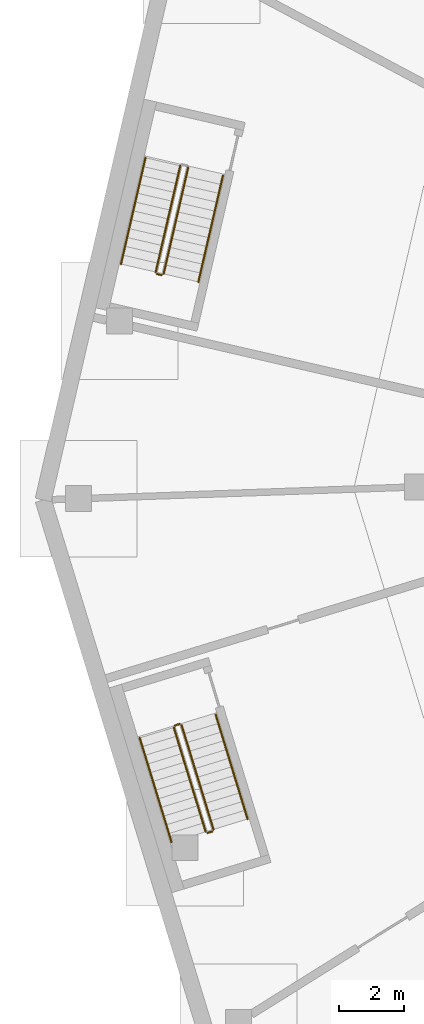
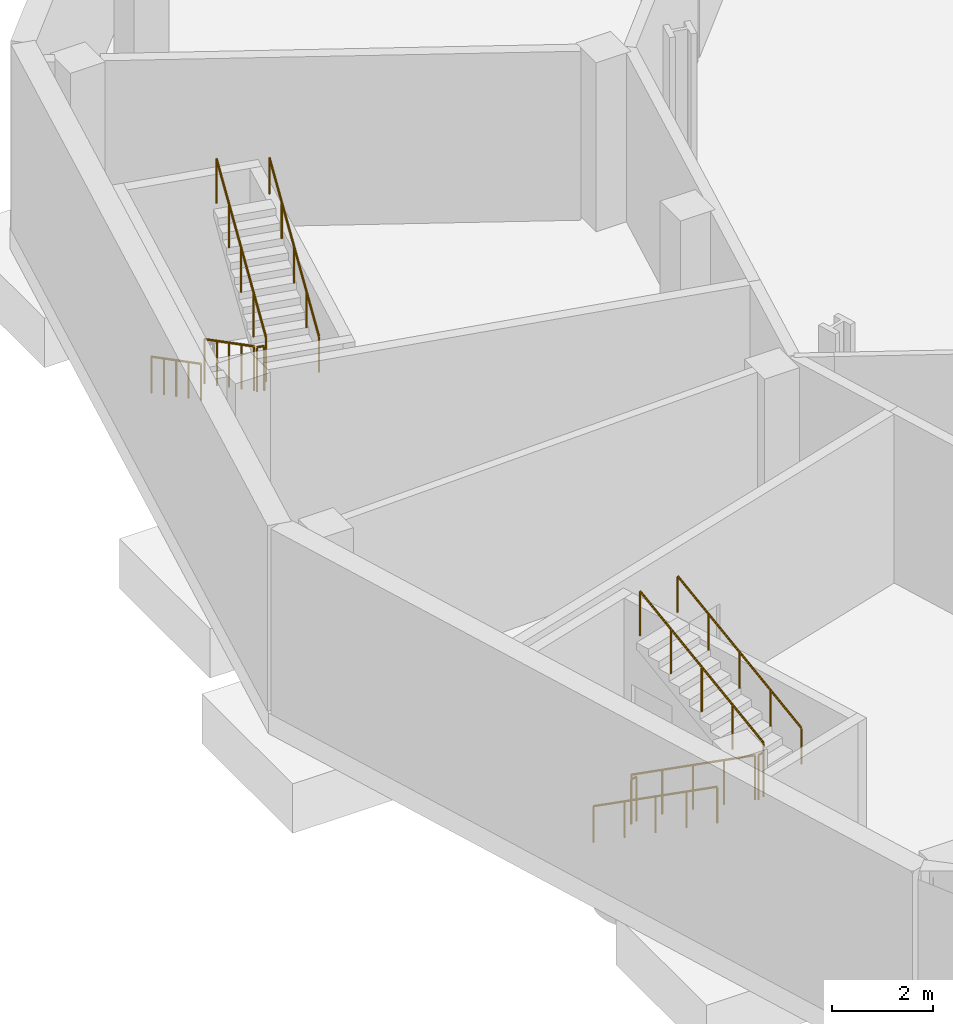
# One storey, part 22 of 29: 11 railings.
"""IFC4 building model written with IfcOpenShell, lengths in metres."""

from ifc_helpers import new_model, si_unit, direction, frame, origin, place, context, subcontext, project, spatial, polyline, outline, extrude, material, type_object, element, save


model = new_model("IFC4")

# Units and contexts
model_context = context("Model", 3, precision=1e-05, world=origin(), true_north=direction((0.0, 1.0)))
body_context = subcontext(model_context, "Body", "Model", "MODEL_VIEW")
ifc_project = project(units=[si_unit("LENGTHUNIT", "METRE"), si_unit("AREAUNIT", "SQUARE_METRE"), si_unit("VOLUMEUNIT", "CUBIC_METRE"), si_unit("PLANEANGLEUNIT", "RADIAN"), si_unit("MASSUNIT", "GRAM", prefix="KILO")], contexts=[model_context])

# Site, building, storey
site_placement = place(None, origin())
site = spatial("IfcSite", under=ifc_project, at=site_placement, CompositionType="ELEMENT")
building_placement = place(site_placement, origin())
building = spatial("IfcBuilding", under=site, at=building_placement, Name="Cormorant Relay Tower", CompositionType="ELEMENT")
storey_placement = place(building_placement, frame((0.0, 0.0, -9.0)))
storey = spatial("IfcBuildingStorey", under=building, at=storey_placement, Name="B2", CompositionType="ELEMENT", Elevation=-9.0)

# Railings
ifc_material_1 = material(Name="Steel ASTM A572 Grade 50 (Fy 345 MPa)", Category="steel")
railing_type_1 = type_object("IfcRailingType", Name="Podium stair guard 1100", PredefinedType="GUARDRAIL", material=ifc_material_1)
railing_1_placement = place(storey_placement, frame((-69.16943359375, 30.248291015625, 0.173095703125)))
element("IfcRailing", 1, at=railing_1_placement, inside=storey, type_object=railing_type_1, Name="B2 X3 stair guard 1", PredefinedType="GUARDRAIL", context=body_context, shape_type="SweptSolid", body=[
    extrude(outline(polyline([(0.022216796875, 0.00927734375), (0.00927734375, 0.022216796875), (-0.00927734375, 0.022216796875), (-0.022216796875, 0.00927734375), (-0.022216796875, -0.00927734375), (-0.00927734375, -0.022216796875), (0.00927734375, -0.022216796875), (0.022216796875, -0.00927734375), (0.022216796875, 0.00927734375)])), frame((0.0, 0.0, 1.076171875), z_axis=(-0.191351009857, -0.82881687409, 0.525782635935), x_axis=(0.974369148124, -0.224955024802, 0.0)), (0.0, 0.0, 1.0), 3.9501953125),
    extrude(outline(polyline([(0.019287109375, 0.008056640625), (0.008056640625, 0.019287109375), (-0.008056640625, 0.019287109375), (-0.019287109375, 0.008056640625), (-0.019287109375, -0.008056640625), (-0.008056640625, -0.019287109375), (0.008056640625, -0.019287109375), (0.019287109375, -0.008056640625), (0.019287109375, 0.008056640625)])), origin(), (0.0, 0.0, 1.0), 1.052001953125),
    extrude(outline(polyline([(0.019287109375, 0.008056640625), (0.008056640625, 0.019287109375), (-0.008056640625, 0.019287109375), (-0.019287109375, 0.008056640625), (-0.019287109375, -0.008056640625), (-0.008056640625, -0.019287109375), (0.008056640625, -0.019287109375), (0.019287109375, -0.008056640625), (0.019287109375, 0.008056640625)])), frame((-0.18896484375, -0.818359375, 0.519287109375)), (0.0, 0.0, 1.0), 1.052001953125),
    extrude(outline(polyline([(0.019287109375, 0.008056640625), (0.008056640625, 0.019287109375), (-0.008056640625, 0.019287109375), (-0.019287109375, 0.008056640625), (-0.019287109375, -0.008056640625), (-0.008056640625, -0.019287109375), (0.008056640625, -0.019287109375), (0.019287109375, -0.008056640625), (0.019287109375, 0.008056640625)])), frame((-0.3779296875, -1.636962890625, 1.03857421875)), (0.0, 0.0, 1.0), 1.052001953125),
    extrude(outline(polyline([(0.019287109375, 0.008056640625), (0.008056640625, 0.019287109375), (-0.008056640625, 0.019287109375), (-0.019287109375, 0.008056640625), (-0.019287109375, -0.008056640625), (-0.008056640625, -0.019287109375), (0.008056640625, -0.019287109375), (0.019287109375, -0.008056640625), (0.019287109375, 0.008056640625)])), frame((-0.56689453125, -2.45556640625, 1.5576171875)), (0.0, 0.0, 1.0), 1.052001953125),
    extrude(outline(polyline([(0.019287109375, 0.008056640625), (0.008056640625, 0.019287109375), (-0.008056640625, 0.019287109375), (-0.019287109375, 0.008056640625), (-0.019287109375, -0.008056640625), (-0.008056640625, -0.019287109375), (0.008056640625, -0.019287109375), (0.019287109375, -0.008056640625), (0.019287109375, 0.008056640625)])), frame((-0.755859375, -3.27392578125, 2.076904296875)), (0.0, 0.0, 1.0), 1.052001953125),
])
railing_2_placement = place(storey_placement, frame((-69.887939453125, 26.914306640625, 2.25)))
element("IfcRailing", 2, at=railing_2_placement, inside=storey, type_object=railing_type_1, Name="B2 X3 stair guard 2", PredefinedType="GUARDRAIL", context=body_context, shape_type="SweptSolid", body=[
    extrude(outline(polyline([(0.022216796875, 0.00927734375), (0.00927734375, 0.022216796875), (-0.00927734375, 0.022216796875), (-0.022216796875, 0.00927734375), (-0.022216796875, -0.00927734375), (-0.00927734375, -0.022216796875), (0.00927734375, -0.022216796875), (0.022216796875, -0.00927734375), (0.022216796875, 0.00927734375)])), frame((0.0, 0.0, 1.076171875), z_axis=(0.974473386136, -0.224503050562, 0.0), x_axis=(0.224503050562, 0.974473386136, 0.0)), (0.0, 0.0, 1.0), 0.150146484375),
    extrude(outline(polyline([(0.019287109375, 0.008056640625), (0.008056640625, 0.019287109375), (-0.008056640625, 0.019287109375), (-0.019287109375, 0.008056640625), (-0.019287109375, -0.008056640625), (-0.008056640625, -0.019287109375), (0.008056640625, -0.019287109375), (0.019287109375, -0.008056640625), (0.019287109375, 0.008056640625)])), origin(), (0.0, 0.0, 1.0), 1.052001953125),
    extrude(outline(polyline([(0.019287109375, 0.008056640625), (0.008056640625, 0.019287109375), (-0.008056640625, 0.019287109375), (-0.019287109375, 0.008056640625), (-0.019287109375, -0.008056640625), (-0.008056640625, -0.019287109375), (0.008056640625, -0.019287109375), (0.019287109375, -0.008056640625), (0.019287109375, 0.008056640625)])), frame((0.146240234375, -0.03369140625, 0.0)), (0.0, 0.0, 1.0), 1.052001953125),
])
railing_3_placement = place(storey_placement, frame((-69.681884765625, 26.918212890625, 2.423095703125)))
element("IfcRailing", 3, at=railing_3_placement, inside=storey, type_object=railing_type_1, Name="B2 X3 stair guard 3", PredefinedType="GUARDRAIL", context=body_context, shape_type="SweptSolid", body=[
    extrude(outline(polyline([(0.022216796875, 0.00927734375), (0.00927734375, 0.022216796875), (-0.00927734375, 0.022216796875), (-0.022216796875, 0.00927734375), (-0.022216796875, -0.00927734375), (-0.00927734375, -0.022216796875), (0.00927734375, -0.022216796875), (0.022216796875, -0.00927734375), (0.022216796875, 0.00927734375)])), frame((0.0, 0.0, 1.076171875), z_axis=(0.191351009857, 0.82881687409, 0.525782635935), x_axis=(-0.974369148124, 0.224955024802, 0.0)), (0.0, 0.0, 1.0), 3.9501953125),
    extrude(outline(polyline([(0.019287109375, 0.008056640625), (0.008056640625, 0.019287109375), (-0.008056640625, 0.019287109375), (-0.019287109375, 0.008056640625), (-0.019287109375, -0.008056640625), (-0.008056640625, -0.019287109375), (0.008056640625, -0.019287109375), (0.019287109375, -0.008056640625), (0.019287109375, 0.008056640625)])), origin(), (0.0, 0.0, 1.0), 1.052001953125),
    extrude(outline(polyline([(0.019287109375, 0.008056640625), (0.008056640625, 0.019287109375), (-0.008056640625, 0.019287109375), (-0.019287109375, 0.008056640625), (-0.019287109375, -0.008056640625), (-0.008056640625, -0.019287109375), (0.008056640625, -0.019287109375), (0.019287109375, -0.008056640625), (0.019287109375, 0.008056640625)])), frame((0.18896484375, 0.818359375, 0.519287109375)), (0.0, 0.0, 1.0), 1.052001953125),
    extrude(outline(polyline([(0.019287109375, 0.008056640625), (0.008056640625, 0.019287109375), (-0.008056640625, 0.019287109375), (-0.019287109375, 0.008056640625), (-0.019287109375, -0.008056640625), (-0.008056640625, -0.019287109375), (0.008056640625, -0.019287109375), (0.019287109375, -0.008056640625), (0.019287109375, 0.008056640625)])), frame((0.3779296875, 1.636962890625, 1.03857421875)), (0.0, 0.0, 1.0), 1.052001953125),
    extrude(outline(polyline([(0.019287109375, 0.008056640625), (0.008056640625, 0.019287109375), (-0.008056640625, 0.019287109375), (-0.019287109375, 0.008056640625), (-0.019287109375, -0.008056640625), (-0.008056640625, -0.019287109375), (0.008056640625, -0.019287109375), (0.019287109375, -0.008056640625), (0.019287109375, 0.008056640625)])), frame((0.56689453125, 2.45556640625, 1.5576171875)), (0.0, 0.0, 1.0), 1.052001953125),
    extrude(outline(polyline([(0.019287109375, 0.008056640625), (0.008056640625, 0.019287109375), (-0.008056640625, 0.019287109375), (-0.019287109375, 0.008056640625), (-0.019287109375, -0.008056640625), (-0.008056640625, -0.019287109375), (0.008056640625, -0.019287109375), (0.019287109375, -0.008056640625), (0.019287109375, 0.008056640625)])), frame((0.755859375, 3.27392578125, 2.076904296875)), (0.0, 0.0, 1.0), 1.052001953125),
])
railing_4_placement = place(storey_placement, frame((-69.367919921875, 12.9375, 0.173095703125)))
element("IfcRailing", 4, at=railing_4_placement, inside=storey, type_object=railing_type_1, Name="B2 X4 stair guard 1", PredefinedType="GUARDRAIL", context=body_context, shape_type="SweptSolid", body=[
    extrude(outline(polyline([(0.022216796875, 0.00927734375), (0.00927734375, 0.022216796875), (-0.00927734375, 0.022216796875), (-0.022216796875, 0.00927734375), (-0.022216796875, -0.00927734375), (-0.00927734375, -0.022216796875), (0.00927734375, -0.022216796875), (0.022216796875, -0.00927734375), (0.022216796875, 0.00927734375)])), frame((0.0, 0.0, 1.076171875), z_axis=(0.24869855367, -0.813461819933, 0.525765058666), x_axis=(0.956305309112, 0.292369895447, 0.0)), (0.0, 0.0, 1.0), 3.9501953125),
    extrude(outline(polyline([(0.019287109375, 0.008056640625), (0.008056640625, 0.019287109375), (-0.008056640625, 0.019287109375), (-0.019287109375, 0.008056640625), (-0.019287109375, -0.008056640625), (-0.008056640625, -0.019287109375), (0.008056640625, -0.019287109375), (0.019287109375, -0.008056640625), (0.019287109375, 0.008056640625)])), origin(), (0.0, 0.0, 1.0), 1.052001953125),
    extrude(outline(polyline([(0.019287109375, 0.008056640625), (0.008056640625, 0.019287109375), (-0.008056640625, 0.019287109375), (-0.019287109375, 0.008056640625), (-0.019287109375, -0.008056640625), (-0.008056640625, -0.019287109375), (0.008056640625, -0.019287109375), (0.019287109375, -0.008056640625), (0.019287109375, 0.008056640625)])), frame((0.24560546875, -0.80322265625, 0.519287109375)), (0.0, 0.0, 1.0), 1.052001953125),
    extrude(outline(polyline([(0.019287109375, 0.008056640625), (0.008056640625, 0.019287109375), (-0.008056640625, 0.019287109375), (-0.019287109375, 0.008056640625), (-0.019287109375, -0.008056640625), (-0.008056640625, -0.019287109375), (0.008056640625, -0.019287109375), (0.019287109375, -0.008056640625), (0.019287109375, 0.008056640625)])), frame((0.4912109375, -1.606689453125, 1.03857421875)), (0.0, 0.0, 1.0), 1.052001953125),
    extrude(outline(polyline([(0.019287109375, 0.008056640625), (0.008056640625, 0.019287109375), (-0.008056640625, 0.019287109375), (-0.019287109375, 0.008056640625), (-0.019287109375, -0.008056640625), (-0.008056640625, -0.019287109375), (0.008056640625, -0.019287109375), (0.019287109375, -0.008056640625), (0.019287109375, 0.008056640625)])), frame((0.73681640625, -2.41015625, 1.5576171875)), (0.0, 0.0, 1.0), 1.052001953125),
    extrude(outline(polyline([(0.019287109375, 0.008056640625), (0.008056640625, 0.019287109375), (-0.008056640625, 0.019287109375), (-0.019287109375, 0.008056640625), (-0.019287109375, -0.008056640625), (-0.008056640625, -0.019287109375), (0.008056640625, -0.019287109375), (0.019287109375, -0.008056640625), (0.019287109375, 0.008056640625)])), frame((0.982421875, -3.21337890625, 2.076904296875)), (0.0, 0.0, 1.0), 1.052001953125),
])
railing_5_placement = place(storey_placement, frame((-68.322998046875, 9.69091796875, 2.25)))
element("IfcRailing", 5, at=railing_5_placement, inside=storey, type_object=railing_type_1, Name="B2 X4 stair guard 2", PredefinedType="GUARDRAIL", context=body_context, shape_type="SweptSolid", body=[
    extrude(outline(polyline([(0.022216796875, 0.00927734375), (0.00927734375, 0.022216796875), (-0.00927734375, 0.022216796875), (-0.022216796875, 0.00927734375), (-0.022216796875, -0.00927734375), (-0.00927734375, -0.022216796875), (0.00927734375, -0.022216796875), (0.022216796875, -0.00927734375), (0.022216796875, 0.00927734375)])), frame((0.0, 0.0, 1.076171875), z_axis=(0.956060295189, 0.293170107554, 0.0), x_axis=(-0.293170107554, 0.956060295189, 0.0)), (0.0, 0.0, 1.0), 0.14990234375),
    extrude(outline(polyline([(0.019287109375, 0.008056640625), (0.008056640625, 0.019287109375), (-0.008056640625, 0.019287109375), (-0.019287109375, 0.008056640625), (-0.019287109375, -0.008056640625), (-0.008056640625, -0.019287109375), (0.008056640625, -0.019287109375), (0.019287109375, -0.008056640625), (0.019287109375, 0.008056640625)])), origin(), (0.0, 0.0, 1.0), 1.052001953125),
    extrude(outline(polyline([(0.019287109375, 0.008056640625), (0.008056640625, 0.019287109375), (-0.008056640625, 0.019287109375), (-0.019287109375, 0.008056640625), (-0.019287109375, -0.008056640625), (-0.008056640625, -0.019287109375), (0.008056640625, -0.019287109375), (0.019287109375, -0.008056640625), (0.019287109375, 0.008056640625)])), frame((0.143310546875, 0.0439453125, 0.0)), (0.0, 0.0, 1.0), 1.052001953125),
])
railing_6_placement = place(storey_placement, frame((-68.146484375, 9.79736328125, 2.423095703125)))
element("IfcRailing", 6, at=railing_6_placement, inside=storey, type_object=railing_type_1, Name="B2 X4 stair guard 3", PredefinedType="GUARDRAIL", context=body_context, shape_type="SweptSolid", body=[
    extrude(outline(polyline([(0.022216796875, 0.00927734375), (0.00927734375, 0.022216796875), (-0.00927734375, 0.022216796875), (-0.022216796875, 0.00927734375), (-0.022216796875, -0.00927734375), (-0.00927734375, -0.022216796875), (0.00927734375, -0.022216796875), (0.022216796875, -0.00927734375), (0.022216796875, 0.00927734375)])), frame((0.0, 0.0, 1.076171875), z_axis=(-0.248653072412, 0.81345341437, 0.5257995742), x_axis=(-0.956319412983, -0.292323759473, 0.0)), (0.0, 0.0, 1.0), 3.949951171875),
    extrude(outline(polyline([(0.019287109375, 0.008056640625), (0.008056640625, 0.019287109375), (-0.008056640625, 0.019287109375), (-0.019287109375, 0.008056640625), (-0.019287109375, -0.008056640625), (-0.008056640625, -0.019287109375), (0.008056640625, -0.019287109375), (0.019287109375, -0.008056640625), (0.019287109375, 0.008056640625)])), origin(), (0.0, 0.0, 1.0), 1.052001953125),
    extrude(outline(polyline([(0.019287109375, 0.008056640625), (0.008056640625, 0.019287109375), (-0.008056640625, 0.019287109375), (-0.019287109375, 0.008056640625), (-0.019287109375, -0.008056640625), (-0.008056640625, -0.019287109375), (0.008056640625, -0.019287109375), (0.019287109375, -0.008056640625), (0.019287109375, 0.008056640625)])), frame((-0.24560546875, 0.80322265625, 0.519287109375)), (0.0, 0.0, 1.0), 1.052001953125),
    extrude(outline(polyline([(0.019287109375, 0.008056640625), (0.008056640625, 0.019287109375), (-0.008056640625, 0.019287109375), (-0.019287109375, 0.008056640625), (-0.019287109375, -0.008056640625), (-0.008056640625, -0.019287109375), (0.008056640625, -0.019287109375), (0.019287109375, -0.008056640625), (0.019287109375, 0.008056640625)])), frame((-0.4912109375, 1.6064453125, 1.03857421875)), (0.0, 0.0, 1.0), 1.052001953125),
    extrude(outline(polyline([(0.019287109375, 0.008056640625), (0.008056640625, 0.019287109375), (-0.008056640625, 0.019287109375), (-0.019287109375, 0.008056640625), (-0.019287109375, -0.008056640625), (-0.008056640625, -0.019287109375), (0.008056640625, -0.019287109375), (0.019287109375, -0.008056640625), (0.019287109375, 0.008056640625)])), frame((-0.736572265625, 2.409912109375, 1.5576171875)), (0.0, 0.0, 1.0), 1.052001953125),
    extrude(outline(polyline([(0.019287109375, 0.008056640625), (0.008056640625, 0.019287109375), (-0.008056640625, 0.019287109375), (-0.019287109375, 0.008056640625), (-0.019287109375, -0.008056640625), (-0.008056640625, -0.019287109375), (0.008056640625, -0.019287109375), (0.019287109375, -0.008056640625), (0.019287109375, 0.008056640625)])), frame((-0.982177734375, 3.213134765625, 2.076904296875)), (0.0, 0.0, 1.0), 1.052001953125),
])
railing_7_placement = place(storey_placement, frame((-69.334716796875, 12.999755859375, 0.0)))
element("IfcRailing", 7, at=railing_7_placement, inside=storey, type_object=railing_type_1, Name="B2 X4 stair guard 4", PredefinedType="GUARDRAIL", context=body_context, shape_type="SweptSolid", body=[
    extrude(outline(polyline([(0.022216796875, 0.00927734375), (0.00927734375, 0.022216796875), (-0.00927734375, 0.022216796875), (-0.022216796875, 0.00927734375), (-0.022216796875, -0.00927734375), (-0.00927734375, -0.022216796875), (0.00927734375, -0.022216796875), (0.022216796875, -0.00927734375), (0.022216796875, 0.00927734375)])), frame((0.0, 0.0, 1.076171875), z_axis=(0.956199955507, 0.292714272094, 0.0), x_axis=(-0.292714272094, 0.956199955507, 0.0)), (0.0, 0.0, 1.0), 0.150146484375),
    extrude(outline(polyline([(0.019287109375, 0.008056640625), (0.008056640625, 0.019287109375), (-0.008056640625, 0.019287109375), (-0.019287109375, 0.008056640625), (-0.019287109375, -0.008056640625), (-0.008056640625, -0.019287109375), (0.008056640625, -0.019287109375), (0.019287109375, -0.008056640625), (0.019287109375, 0.008056640625)])), origin(), (0.0, 0.0, 1.0), 1.052001953125),
    extrude(outline(polyline([(0.019287109375, 0.008056640625), (0.008056640625, 0.019287109375), (-0.008056640625, 0.019287109375), (-0.019287109375, 0.008056640625), (-0.019287109375, -0.008056640625), (-0.008056640625, -0.019287109375), (0.008056640625, -0.019287109375), (0.019287109375, -0.008056640625), (0.019287109375, 0.008056640625)])), frame((0.1435546875, 0.0439453125, 0.0)), (0.0, 0.0, 1.0), 1.052001953125),
])
ifc_material_2 = material(Name="Stainless steel 316", Category="steel")
railing_type_2 = type_object("IfcRailingType", Name="Podium stair handrail 900", PredefinedType="HANDRAIL", material=ifc_material_2)
railing_8_placement = place(storey_placement, frame((-70.241455078125, 30.49560546875, 0.173095703125)))
element("IfcRailing", 8, at=railing_8_placement, inside=storey, type_object=railing_type_2, Name="B2 X3 stair handrail 1", PredefinedType="HANDRAIL", context=body_context, shape_type="SweptSolid", body=[
    extrude(outline(polyline([(0.022216796875, 0.00927734375), (0.00927734375, 0.022216796875), (-0.00927734375, 0.022216796875), (-0.022216796875, 0.00927734375), (-0.022216796875, -0.00927734375), (-0.00927734375, -0.022216796875), (0.00927734375, -0.022216796875), (0.022216796875, -0.00927734375), (0.022216796875, 0.00927734375)])), frame((0.0, 0.0, 0.8759765625), z_axis=(-0.191301265624, -0.82880732496, 0.525815788906), x_axis=(0.974381397077, -0.224901963155, 0.0)), (0.0, 0.0, 1.0), 3.949951171875),
    extrude(outline(polyline([(0.019287109375, 0.008056640625), (0.008056640625, 0.019287109375), (-0.008056640625, 0.019287109375), (-0.019287109375, 0.008056640625), (-0.019287109375, -0.008056640625), (-0.008056640625, -0.019287109375), (0.008056640625, -0.019287109375), (0.019287109375, -0.008056640625), (0.019287109375, 0.008056640625)])), origin(), (0.0, 0.0, 1.0), 0.851806640625),
    extrude(outline(polyline([(0.019287109375, 0.008056640625), (0.008056640625, 0.019287109375), (-0.008056640625, 0.019287109375), (-0.019287109375, 0.008056640625), (-0.019287109375, -0.008056640625), (-0.008056640625, -0.019287109375), (0.008056640625, -0.019287109375), (0.019287109375, -0.008056640625), (0.019287109375, 0.008056640625)])), frame((-0.18896484375, -0.818359375, 0.519287109375)), (0.0, 0.0, 1.0), 0.851806640625),
    extrude(outline(polyline([(0.019287109375, 0.008056640625), (0.008056640625, 0.019287109375), (-0.008056640625, 0.019287109375), (-0.019287109375, 0.008056640625), (-0.019287109375, -0.008056640625), (-0.008056640625, -0.019287109375), (0.008056640625, -0.019287109375), (0.019287109375, -0.008056640625), (0.019287109375, 0.008056640625)])), frame((-0.3779296875, -1.63671875, 1.03857421875)), (0.0, 0.0, 1.0), 0.851806640625),
    extrude(outline(polyline([(0.019287109375, 0.008056640625), (0.008056640625, 0.019287109375), (-0.008056640625, 0.019287109375), (-0.019287109375, 0.008056640625), (-0.019287109375, -0.008056640625), (-0.008056640625, -0.019287109375), (0.008056640625, -0.019287109375), (0.019287109375, -0.008056640625), (0.019287109375, 0.008056640625)])), frame((-0.566650390625, -2.455322265625, 1.5576171875)), (0.0, 0.0, 1.0), 0.851806640625),
    extrude(outline(polyline([(0.019287109375, 0.008056640625), (0.008056640625, 0.019287109375), (-0.008056640625, 0.019287109375), (-0.019287109375, 0.008056640625), (-0.019287109375, -0.008056640625), (-0.008056640625, -0.019287109375), (0.008056640625, -0.019287109375), (0.019287109375, -0.008056640625), (0.019287109375, 0.008056640625)])), frame((-0.755615234375, -3.273681640625, 2.076904296875)), (0.0, 0.0, 1.0), 0.851806640625),
])
railing_9_placement = place(storey_placement, frame((-68.60986328125, 26.670654296875, 2.423095703125)))
element("IfcRailing", 9, at=railing_9_placement, inside=storey, type_object=railing_type_2, Name="B2 X3 stair handrail 2", PredefinedType="HANDRAIL", context=body_context, shape_type="SweptSolid", body=[
    extrude(outline(polyline([(0.022216796875, 0.00927734375), (0.00927734375, 0.022216796875), (-0.00927734375, 0.022216796875), (-0.022216796875, 0.00927734375), (-0.022216796875, -0.00927734375), (-0.00927734375, -0.022216796875), (0.00927734375, -0.022216796875), (0.022216796875, -0.00927734375), (0.022216796875, 0.00927734375)])), frame((0.0, 0.0, 0.8759765625), z_axis=(0.191291465954, 0.828826674781, 0.525788853271), x_axis=(-0.974385072209, 0.224886040156, 0.0)), (0.0, 0.0, 1.0), 3.949951171875),
    extrude(outline(polyline([(0.019287109375, 0.008056640625), (0.008056640625, 0.019287109375), (-0.008056640625, 0.019287109375), (-0.019287109375, 0.008056640625), (-0.019287109375, -0.008056640625), (-0.008056640625, -0.019287109375), (0.008056640625, -0.019287109375), (0.019287109375, -0.008056640625), (0.019287109375, 0.008056640625)])), origin(), (0.0, 0.0, 1.0), 0.851806640625),
    extrude(outline(polyline([(0.019287109375, 0.008056640625), (0.008056640625, 0.019287109375), (-0.008056640625, 0.019287109375), (-0.019287109375, 0.008056640625), (-0.019287109375, -0.008056640625), (-0.008056640625, -0.019287109375), (0.008056640625, -0.019287109375), (0.019287109375, -0.008056640625), (0.019287109375, 0.008056640625)])), frame((0.18896484375, 0.818359375, 0.519287109375)), (0.0, 0.0, 1.0), 0.851806640625),
    extrude(outline(polyline([(0.019287109375, 0.008056640625), (0.008056640625, 0.019287109375), (-0.008056640625, 0.019287109375), (-0.019287109375, 0.008056640625), (-0.019287109375, -0.008056640625), (-0.008056640625, -0.019287109375), (0.008056640625, -0.019287109375), (0.019287109375, -0.008056640625), (0.019287109375, 0.008056640625)])), frame((0.3779296875, 1.636962890625, 1.03857421875)), (0.0, 0.0, 1.0), 0.851806640625),
    extrude(outline(polyline([(0.019287109375, 0.008056640625), (0.008056640625, 0.019287109375), (-0.008056640625, 0.019287109375), (-0.019287109375, 0.008056640625), (-0.019287109375, -0.008056640625), (-0.008056640625, -0.019287109375), (0.008056640625, -0.019287109375), (0.019287109375, -0.008056640625), (0.019287109375, 0.008056640625)])), frame((0.566650390625, 2.45556640625, 1.5576171875)), (0.0, 0.0, 1.0), 0.851806640625),
    extrude(outline(polyline([(0.019287109375, 0.008056640625), (0.008056640625, 0.019287109375), (-0.008056640625, 0.019287109375), (-0.019287109375, 0.008056640625), (-0.019287109375, -0.008056640625), (-0.008056640625, -0.019287109375), (0.008056640625, -0.019287109375), (0.019287109375, -0.008056640625), (0.019287109375, 0.008056640625)])), frame((0.755615234375, 3.27392578125, 2.076904296875)), (0.0, 0.0, 1.0), 0.851806640625),
])
railing_10_placement = place(storey_placement, frame((-70.419677734375, 12.61572265625, 0.173095703125)))
element("IfcRailing", 10, at=railing_10_placement, inside=storey, type_object=railing_type_2, Name="B2 X4 stair handrail 1", PredefinedType="HANDRAIL", context=body_context, shape_type="SweptSolid", body=[
    extrude(outline(polyline([(0.022216796875, 0.00927734375), (0.00927734375, 0.022216796875), (-0.00927734375, 0.022216796875), (-0.022216796875, 0.00927734375), (-0.022216796875, -0.00927734375), (-0.00927734375, -0.022216796875), (0.00927734375, -0.022216796875), (0.022216796875, -0.00927734375), (0.022216796875, 0.00927734375)])), frame((0.0, 0.0, 0.8759765625), z_axis=(0.248653072412, -0.81345341437, 0.5257995742), x_axis=(0.956319412983, 0.292323759473, 0.0)), (0.0, 0.0, 1.0), 3.949951171875),
    extrude(outline(polyline([(0.019287109375, 0.008056640625), (0.008056640625, 0.019287109375), (-0.008056640625, 0.019287109375), (-0.019287109375, 0.008056640625), (-0.019287109375, -0.008056640625), (-0.008056640625, -0.019287109375), (0.008056640625, -0.019287109375), (0.019287109375, -0.008056640625), (0.019287109375, 0.008056640625)])), origin(), (0.0, 0.0, 1.0), 0.851806640625),
    extrude(outline(polyline([(0.019287109375, 0.008056640625), (0.008056640625, 0.019287109375), (-0.008056640625, 0.019287109375), (-0.019287109375, 0.008056640625), (-0.019287109375, -0.008056640625), (-0.008056640625, -0.019287109375), (0.008056640625, -0.019287109375), (0.019287109375, -0.008056640625), (0.019287109375, 0.008056640625)])), frame((0.24560546875, -0.80322265625, 0.519287109375)), (0.0, 0.0, 1.0), 0.851806640625),
    extrude(outline(polyline([(0.019287109375, 0.008056640625), (0.008056640625, 0.019287109375), (-0.008056640625, 0.019287109375), (-0.019287109375, 0.008056640625), (-0.019287109375, -0.008056640625), (-0.008056640625, -0.019287109375), (0.008056640625, -0.019287109375), (0.019287109375, -0.008056640625), (0.019287109375, 0.008056640625)])), frame((0.4912109375, -1.6064453125, 1.03857421875)), (0.0, 0.0, 1.0), 0.851806640625),
    extrude(outline(polyline([(0.019287109375, 0.008056640625), (0.008056640625, 0.019287109375), (-0.008056640625, 0.019287109375), (-0.019287109375, 0.008056640625), (-0.019287109375, -0.008056640625), (-0.008056640625, -0.019287109375), (0.008056640625, -0.019287109375), (0.019287109375, -0.008056640625), (0.019287109375, 0.008056640625)])), frame((0.736572265625, -2.409912109375, 1.5576171875)), (0.0, 0.0, 1.0), 0.851806640625),
    extrude(outline(polyline([(0.019287109375, 0.008056640625), (0.008056640625, 0.019287109375), (-0.008056640625, 0.019287109375), (-0.019287109375, 0.008056640625), (-0.019287109375, -0.008056640625), (-0.008056640625, -0.019287109375), (0.008056640625, -0.019287109375), (0.019287109375, -0.008056640625), (0.019287109375, 0.008056640625)])), frame((0.982177734375, -3.213134765625, 2.076904296875)), (0.0, 0.0, 1.0), 0.851806640625),
])
railing_11_placement = place(storey_placement, frame((-67.094482421875, 10.118896484375, 2.423095703125)))
element("IfcRailing", 11, at=railing_11_placement, inside=storey, type_object=railing_type_2, Name="B2 X4 stair handrail 2", PredefinedType="HANDRAIL", context=body_context, shape_type="SweptSolid", body=[
    extrude(outline(polyline([(0.022216796875, 0.00927734375), (0.00927734375, 0.022216796875), (-0.00927734375, 0.022216796875), (-0.022216796875, 0.00927734375), (-0.022216796875, -0.00927734375), (-0.00927734375, -0.022216796875), (0.00927734375, -0.022216796875), (0.022216796875, -0.00927734375), (0.022216796875, 0.00927734375)])), frame((0.0, 0.0, 0.8759765625), z_axis=(-0.248711057469, 0.813440911369, 0.525791492517), x_axis=(-0.956299097773, -0.292390211188, 0.0)), (0.0, 0.0, 1.0), 3.949951171875),
    extrude(outline(polyline([(0.019287109375, 0.008056640625), (0.008056640625, 0.019287109375), (-0.008056640625, 0.019287109375), (-0.019287109375, 0.008056640625), (-0.019287109375, -0.008056640625), (-0.008056640625, -0.019287109375), (0.008056640625, -0.019287109375), (0.019287109375, -0.008056640625), (0.019287109375, 0.008056640625)])), origin(), (0.0, 0.0, 1.0), 0.851806640625),
    extrude(outline(polyline([(0.019287109375, 0.008056640625), (0.008056640625, 0.019287109375), (-0.008056640625, 0.019287109375), (-0.019287109375, 0.008056640625), (-0.019287109375, -0.008056640625), (-0.008056640625, -0.019287109375), (0.008056640625, -0.019287109375), (0.019287109375, -0.008056640625), (0.019287109375, 0.008056640625)])), frame((-0.24560546875, 0.80322265625, 0.519287109375)), (0.0, 0.0, 1.0), 0.851806640625),
    extrude(outline(polyline([(0.019287109375, 0.008056640625), (0.008056640625, 0.019287109375), (-0.008056640625, 0.019287109375), (-0.019287109375, 0.008056640625), (-0.019287109375, -0.008056640625), (-0.008056640625, -0.019287109375), (0.008056640625, -0.019287109375), (0.019287109375, -0.008056640625), (0.019287109375, 0.008056640625)])), frame((-0.4912109375, 1.6064453125, 1.03857421875)), (0.0, 0.0, 1.0), 0.851806640625),
    extrude(outline(polyline([(0.019287109375, 0.008056640625), (0.008056640625, 0.019287109375), (-0.008056640625, 0.019287109375), (-0.019287109375, 0.008056640625), (-0.019287109375, -0.008056640625), (-0.008056640625, -0.019287109375), (0.008056640625, -0.019287109375), (0.019287109375, -0.008056640625), (0.019287109375, 0.008056640625)])), frame((-0.73681640625, 2.409912109375, 1.5576171875)), (0.0, 0.0, 1.0), 0.851806640625),
    extrude(outline(polyline([(0.019287109375, 0.008056640625), (0.008056640625, 0.019287109375), (-0.008056640625, 0.019287109375), (-0.019287109375, 0.008056640625), (-0.019287109375, -0.008056640625), (-0.008056640625, -0.019287109375), (0.008056640625, -0.019287109375), (0.019287109375, -0.008056640625), (0.019287109375, 0.008056640625)])), frame((-0.982421875, 3.213134765625, 2.076904296875)), (0.0, 0.0, 1.0), 0.851806640625),
])

save(model, "model.ifc")
